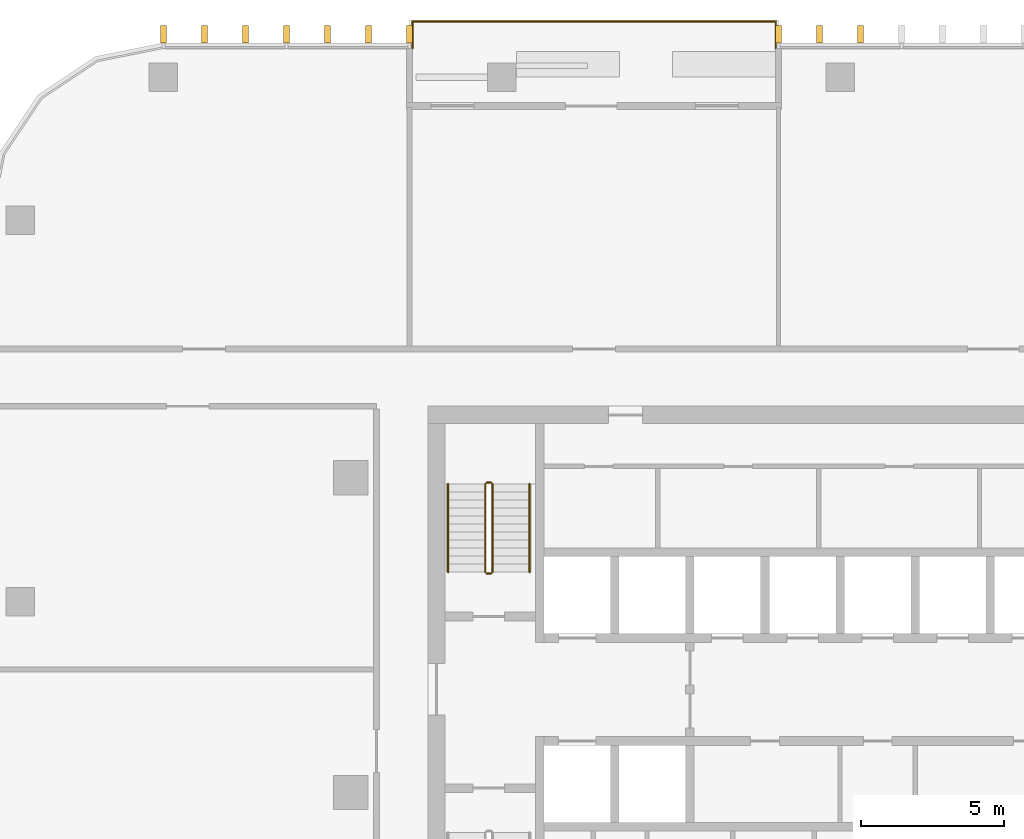
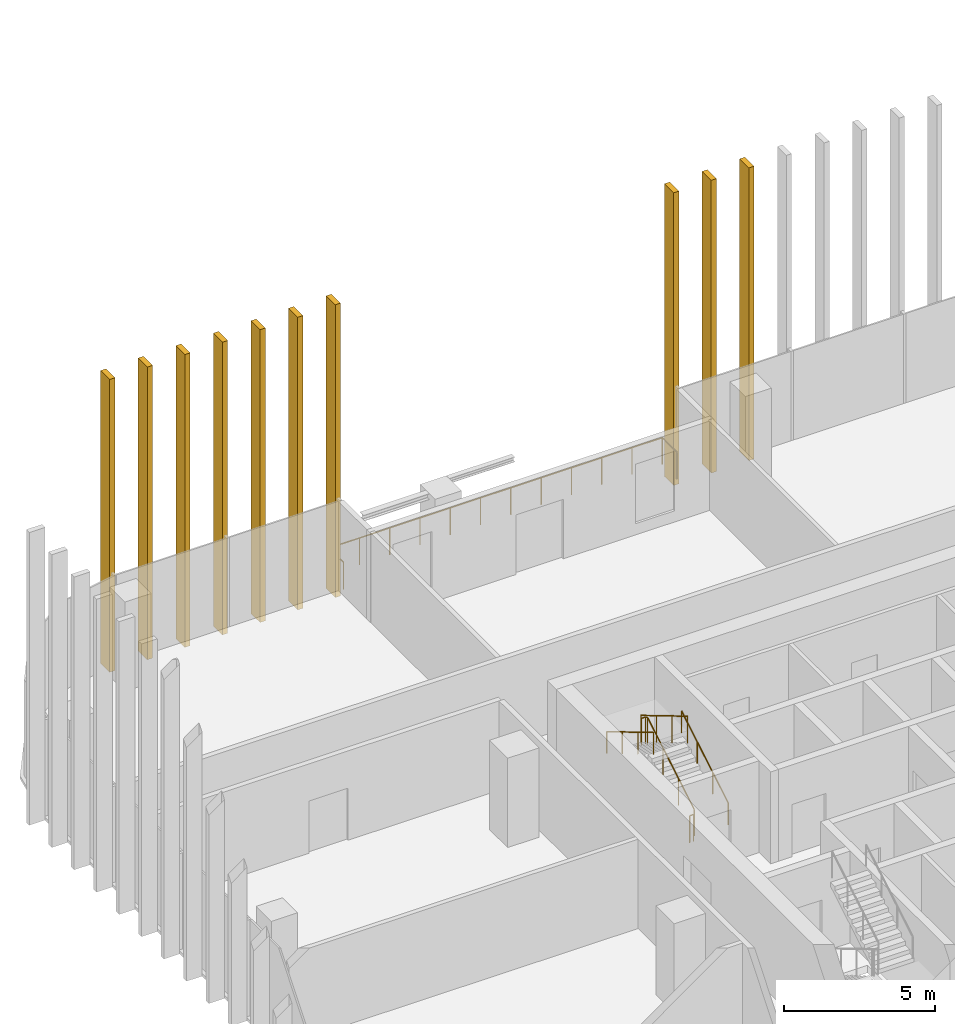
# One storey, part 15 of 16: 10 shading devices, 6 railings.
"""IFC4 building model written with IfcOpenShell, lengths in metres."""

from ifc_helpers import new_model, si_unit, direction, frame, origin, origin_2d, place, context, subcontext, project, spatial, rectangle, circle, extrude, material, type_object, element, save


model = new_model("IFC4")

# Units and contexts
model_context = context("Model", 3, precision=1e-05, world=origin(), true_north=direction((0.0, 1.0)))
body_context = subcontext(model_context, "Body", "Model", "MODEL_VIEW")
ifc_project = project(units=[si_unit("LENGTHUNIT", "METRE"), si_unit("AREAUNIT", "SQUARE_METRE"), si_unit("VOLUMEUNIT", "CUBIC_METRE"), si_unit("PLANEANGLEUNIT", "RADIAN"), si_unit("MASSUNIT", "GRAM", prefix="KILO")], contexts=[model_context])

# Site, building, storey
site_placement = place(None, origin())
site = spatial("IfcSite", under=ifc_project, at=site_placement, CompositionType="ELEMENT")
building_placement = place(site_placement, origin())
building = spatial("IfcBuilding", under=site, at=building_placement, Name="Mopane Tessera Tower", CompositionType="ELEMENT")
storey_placement = place(building_placement, frame((0.0, 0.0, 303.39990234375)))
storey = spatial("IfcBuildingStorey", under=building, at=storey_placement, Name="L66", CompositionType="ELEMENT", Elevation=303.39990234375)

# Shading devices
ifc_material_1 = material(Name="Glazed ceramic tile")
shading_device_type = type_object("IfcShadingDeviceType", Name="Ceramic tile fin 600 x 200 mm", PredefinedType="USERDEFINED", material=ifc_material_1)
for number, where, z_axis, x_axis, name in (
    (1, (0.716552734375, 26.5, -0.39990234375), (0.0, 0.0, 1.0), (-1.0, 0.0, 0.0), "e:fin:L66:N:5:1"),
    (2, (-0.716552734375, 26.5, -0.39990234375), (0.0, 0.0, 1.0), (-1.0, 0.0, 0.0), "e:fin:L66:N:5:2"),
    (3, (-2.14990234375, 26.5, -0.39990234375), (0.0, 0.0, 1.0), (-1.0, 0.0, 0.0), "e:fin:L66:N:5:3"),
    (4, (-15.050048828125, 26.5, -0.39990234375), (0.0, 0.0, 1.0), (-1.0, 0.0, 0.0), "e:fin:L66:N:9:0"),
    (5, (-16.4833984375, 26.5, -0.39990234375), (0.0, 0.0, 1.0), (-1.0, 0.0, 0.0), "e:fin:L66:N:9:1"),
    (6, (-17.916748046875, 26.5, -0.39990234375), (0.0, 0.0, 1.0), (-1.0, 0.0, 0.0), "e:fin:L66:N:9:2"),
    (7, (-19.35009765625, 26.5, -0.39990234375), (0.0, 0.0, 1.0), (-1.0, 0.0, 0.0), "e:fin:L66:N:10:0"),
    (8, (-20.783447265625, 26.5, -0.39990234375), (0.0, 0.0, 1.0), (-1.0, 0.0, 0.0), "e:fin:L66:N:10:1"),
    (9, (-22.216552734375, 26.5, -0.39990234375), (0.0, 0.0, 1.0), (-1.0, 0.0, 0.0), "e:fin:L66:N:10:2"),
    (10, (-23.64990234375, 26.5, -0.39990234375), (0.0, 0.0, 1.0), (-1.0, 0.0, 0.0), "e:fin:L66:N:10:3"),
):
    element("IfcShadingDevice", number, at=place(storey_placement, frame(where, z_axis=z_axis, x_axis=x_axis)), inside=storey, type_object=shading_device_type, Name=name, ObjectType="FIN", PredefinedType="USERDEFINED", context=body_context, shape_type="SweptSolid", body=[
        extrude(rectangle(XDim=0.199951171875, YDim=0.60009765625, at=origin_2d()), origin(), (0.0, 0.0, 1.0), 11.800048828125),
    ])

# Railings
ifc_material_2 = material(Name="Powder-coated steel balustrade", Category="steel")
railing_type_1 = type_object("IfcRailingType", Name="Escape stair guard 1100 mm", PredefinedType="GUARDRAIL", material=ifc_material_2)
railing_1_placement = place(storey_placement, frame((-12.14990234375, 7.699951171875, 0.166748046875)))
element("IfcRailing", 11, at=railing_1_placement, inside=storey, type_object=railing_type_1, Name="L66 ST2 stair guard 1", PredefinedType="GUARDRAIL", context=body_context, shape_type="SweptSolid", body=[
    extrude(circle(Radius=0.02392578125, at=origin_2d()), frame((0.0, 0.0, 1.076171875), z_axis=(0.0, 0.859308565015, 0.511457515432), x_axis=(-1.0, 0.0, 0.0)), (0.0, 0.0, 1.0), 3.58447265625),
    extrude(circle(Radius=0.02392578125, at=origin_2d()), frame((0.0, 3.080078125, 2.9091796875), z_axis=(-0.707106781187, 0.707106781187, 0.0), x_axis=(-0.707106781187, -0.707106781187, 0.0)), (0.0, 0.0, 1.0), 0.07080078125),
    extrude(circle(Radius=0.02392578125, at=origin_2d()), frame((-0.050048828125, 3.130126953125, 2.9091796875), z_axis=(-1.0, 0.0, 0.0), x_axis=(0.0, -1.0, 0.0)), (0.0, 0.0, 1.0), 0.150146484375),
    extrude(circle(Radius=0.02099609375, at=origin_2d()), origin(), (0.0, 0.0, 1.0), 1.052001953125),
    extrude(circle(Radius=0.02099609375, at=origin_2d()), frame((0.0, 1.026611328125, 0.611083984375)), (0.0, 0.0, 1.0), 1.052001953125),
    extrude(circle(Radius=0.02099609375, at=origin_2d()), frame((0.0, 2.053466796875, 1.22216796875)), (0.0, 0.0, 1.0), 1.052001953125),
    extrude(circle(Radius=0.02099609375, at=origin_2d()), frame((0.0, 3.080078125, 1.833251953125)), (0.0, 0.0, 1.0), 1.052001953125),
    extrude(circle(Radius=0.02099609375, at=origin_2d()), frame((-0.050048828125, 3.130126953125, 1.833251953125)), (0.0, 0.0, 1.0), 1.052001953125),
    extrude(circle(Radius=0.02099609375, at=origin_2d()), frame((-0.2001953125, 3.130126953125, 1.833251953125)), (0.0, 0.0, 1.0), 1.052001953125),
])
railing_2_placement = place(storey_placement, frame((-12.39990234375, 10.780029296875, 2.166748046875)))
element("IfcRailing", 12, at=railing_2_placement, inside=storey, type_object=railing_type_1, Name="L66 ST2 stair guard 2", PredefinedType="GUARDRAIL", context=body_context, shape_type="SweptSolid", body=[
    extrude(circle(Radius=0.02392578125, at=origin_2d()), frame((0.0, 0.0, 1.076171875), z_axis=(0.0, -0.859308565015, 0.511457515432), x_axis=(1.0, 0.0, 0.0)), (0.0, 0.0, 1.0), 3.58447265625),
    extrude(circle(Radius=0.02099609375, at=origin_2d()), origin(), (0.0, 0.0, 1.0), 1.052001953125),
    extrude(circle(Radius=0.02099609375, at=origin_2d()), frame((0.0, -1.026611328125, 0.611083984375)), (0.0, 0.0, 1.0), 1.052001953125),
    extrude(circle(Radius=0.02099609375, at=origin_2d()), frame((0.0, -2.053466796875, 1.22216796875)), (0.0, 0.0, 1.0), 1.052001953125),
    extrude(circle(Radius=0.02099609375, at=origin_2d()), frame((0.0, -3.080078125, 1.833251953125)), (0.0, 0.0, 1.0), 1.052001953125),
])
railing_3_placement = place(storey_placement, frame((-12.199951171875, 7.64990234375, 0.0)))
element("IfcRailing", 13, at=railing_3_placement, inside=storey, type_object=railing_type_1, Name="L66 ST2 stair guard 3", PredefinedType="GUARDRAIL", context=body_context, shape_type="SweptSolid", body=[
    extrude(circle(Radius=0.02392578125, at=origin_2d()), frame((0.0, 0.0, 1.076171875), z_axis=(-1.0, 0.0, 0.0), x_axis=(0.0, -1.0, 0.0)), (0.0, 0.0, 1.0), 0.150146484375),
    extrude(circle(Radius=0.02099609375, at=origin_2d()), origin(), (0.0, 0.0, 1.0), 1.052001953125),
    extrude(circle(Radius=0.02099609375, at=origin_2d()), frame((-0.150146484375, 0.0, 0.0)), (0.0, 0.0, 1.0), 1.052001953125),
])
ifc_material_3 = material(Name="Powder-coated steel balustrade", Category="steel")
railing_type_2 = type_object("IfcRailingType", Name="Escape stair handrail 900 mm", PredefinedType="HANDRAIL", material=ifc_material_3)
railing_4_placement = place(storey_placement, frame((-10.85009765625, 7.699951171875, 0.166748046875)))
element("IfcRailing", 14, at=railing_4_placement, inside=storey, type_object=railing_type_2, Name="L66 ST2 stair handrail 1", PredefinedType="HANDRAIL", context=body_context, shape_type="SweptSolid", body=[
    extrude(circle(Radius=0.02392578125, at=origin_2d()), frame((0.0, 0.0, 0.8759765625), z_axis=(0.0, 0.859308565015, 0.511457515432), x_axis=(-1.0, 0.0, 0.0)), (0.0, 0.0, 1.0), 3.58447265625),
    extrude(circle(Radius=0.02099609375, at=origin_2d()), origin(), (0.0, 0.0, 1.0), 0.851806640625),
    extrude(circle(Radius=0.02099609375, at=origin_2d()), frame((0.0, 1.026611328125, 0.611083984375)), (0.0, 0.0, 1.0), 0.851806640625),
    extrude(circle(Radius=0.02099609375, at=origin_2d()), frame((0.0, 2.053466796875, 1.22216796875)), (0.0, 0.0, 1.0), 0.851806640625),
    extrude(circle(Radius=0.02099609375, at=origin_2d()), frame((0.0, 3.080078125, 1.833251953125)), (0.0, 0.0, 1.0), 0.851806640625),
])
railing_5_placement = place(storey_placement, frame((-13.699951171875, 10.780029296875, 2.166748046875)))
element("IfcRailing", 15, at=railing_5_placement, inside=storey, type_object=railing_type_2, Name="L66 ST2 stair handrail 2", PredefinedType="HANDRAIL", context=body_context, shape_type="SweptSolid", body=[
    extrude(circle(Radius=0.02392578125, at=origin_2d()), frame((0.0, 0.0, 0.8759765625), z_axis=(0.0, -0.859308565015, 0.511457515432), x_axis=(1.0, 0.0, 0.0)), (0.0, 0.0, 1.0), 3.58447265625),
    extrude(circle(Radius=0.02099609375, at=origin_2d()), origin(), (0.0, 0.0, 1.0), 0.851806640625),
    extrude(circle(Radius=0.02099609375, at=origin_2d()), frame((0.0, -1.026611328125, 0.611083984375)), (0.0, 0.0, 1.0), 0.851806640625),
    extrude(circle(Radius=0.02099609375, at=origin_2d()), frame((0.0, -2.053466796875, 1.22216796875)), (0.0, 0.0, 1.0), 0.851806640625),
    extrude(circle(Radius=0.02099609375, at=origin_2d()), frame((0.0, -3.080078125, 1.833251953125)), (0.0, 0.0, 1.0), 0.851806640625),
])
ifc_material_4 = material(Name="Stainless steel S316", Category="steel")
railing_type_3 = type_object("IfcRailingType", Name="Terrace guard 1100", PredefinedType="GUARDRAIL", material=ifc_material_4)
railing_6_placement = place(storey_placement, frame((-2.25, 26.0, 0.0)))
element("IfcRailing", 16, at=railing_6_placement, inside=storey, type_object=railing_type_3, Name="e:nw:L66:N2:guard", PredefinedType="GUARDRAIL", context=body_context, shape_type="SweptSolid", body=[
    extrude(circle(Radius=0.02392578125, at=origin_2d()), frame((0.0, 0.0, 1.076171875), z_axis=(0.0, 1.0, 0.0), x_axis=(-1.0, 0.0, 0.0)), (0.0, 0.0, 1.0), 0.949951171875),
    extrude(circle(Radius=0.02392578125, at=origin_2d()), frame((0.0, 0.949951171875, 1.076171875), z_axis=(-1.0, 0.0, 0.0), x_axis=(0.0, -1.0, 0.0)), (0.0, 0.0, 1.0), 12.699951171875),
    extrude(circle(Radius=0.02392578125, at=origin_2d()), frame((-12.699951171875, 0.949951171875, 1.076171875), z_axis=(0.0, -1.0, 0.0), x_axis=(1.0, 0.0, 0.0)), (0.0, 0.0, 1.0), 0.949951171875),
    extrude(circle(Radius=0.02099609375, at=origin_2d()), origin(), (0.0, 0.0, 1.0), 1.052001953125),
    extrude(circle(Radius=0.02099609375, at=origin_2d()), frame((0.0, 0.949951171875, 0.0)), (0.0, 0.0, 1.0), 1.052001953125),
    extrude(circle(Radius=0.02099609375, at=origin_2d()), frame((-1.154541015625, 0.949951171875, 0.0)), (0.0, 0.0, 1.0), 1.052001953125),
    extrude(circle(Radius=0.02099609375, at=origin_2d()), frame((-2.30908203125, 0.949951171875, 0.0)), (0.0, 0.0, 1.0), 1.052001953125),
    extrude(circle(Radius=0.02099609375, at=origin_2d()), frame((-3.463623046875, 0.949951171875, 0.0)), (0.0, 0.0, 1.0), 1.052001953125),
    extrude(circle(Radius=0.02099609375, at=origin_2d()), frame((-4.6181640625, 0.949951171875, 0.0)), (0.0, 0.0, 1.0), 1.052001953125),
    extrude(circle(Radius=0.02099609375, at=origin_2d()), frame((-5.772705078125, 0.949951171875, 0.0)), (0.0, 0.0, 1.0), 1.052001953125),
    extrude(circle(Radius=0.02099609375, at=origin_2d()), frame((-6.92724609375, 0.949951171875, 0.0)), (0.0, 0.0, 1.0), 1.052001953125),
    extrude(circle(Radius=0.02099609375, at=origin_2d()), frame((-8.081787109375, 0.949951171875, 0.0)), (0.0, 0.0, 1.0), 1.052001953125),
    extrude(circle(Radius=0.02099609375, at=origin_2d()), frame((-9.236328125, 0.949951171875, 0.0)), (0.0, 0.0, 1.0), 1.052001953125),
    extrude(circle(Radius=0.02099609375, at=origin_2d()), frame((-10.390869140625, 0.949951171875, 0.0)), (0.0, 0.0, 1.0), 1.052001953125),
    extrude(circle(Radius=0.02099609375, at=origin_2d()), frame((-11.54541015625, 0.949951171875, 0.0)), (0.0, 0.0, 1.0), 1.052001953125),
    extrude(circle(Radius=0.02099609375, at=origin_2d()), frame((-12.699951171875, 0.949951171875, 0.0)), (0.0, 0.0, 1.0), 1.052001953125),
    extrude(circle(Radius=0.02099609375, at=origin_2d()), frame((-12.699951171875, 0.0, 0.0)), (0.0, 0.0, 1.0), 1.052001953125),
])

save(model, "model.ifc")
